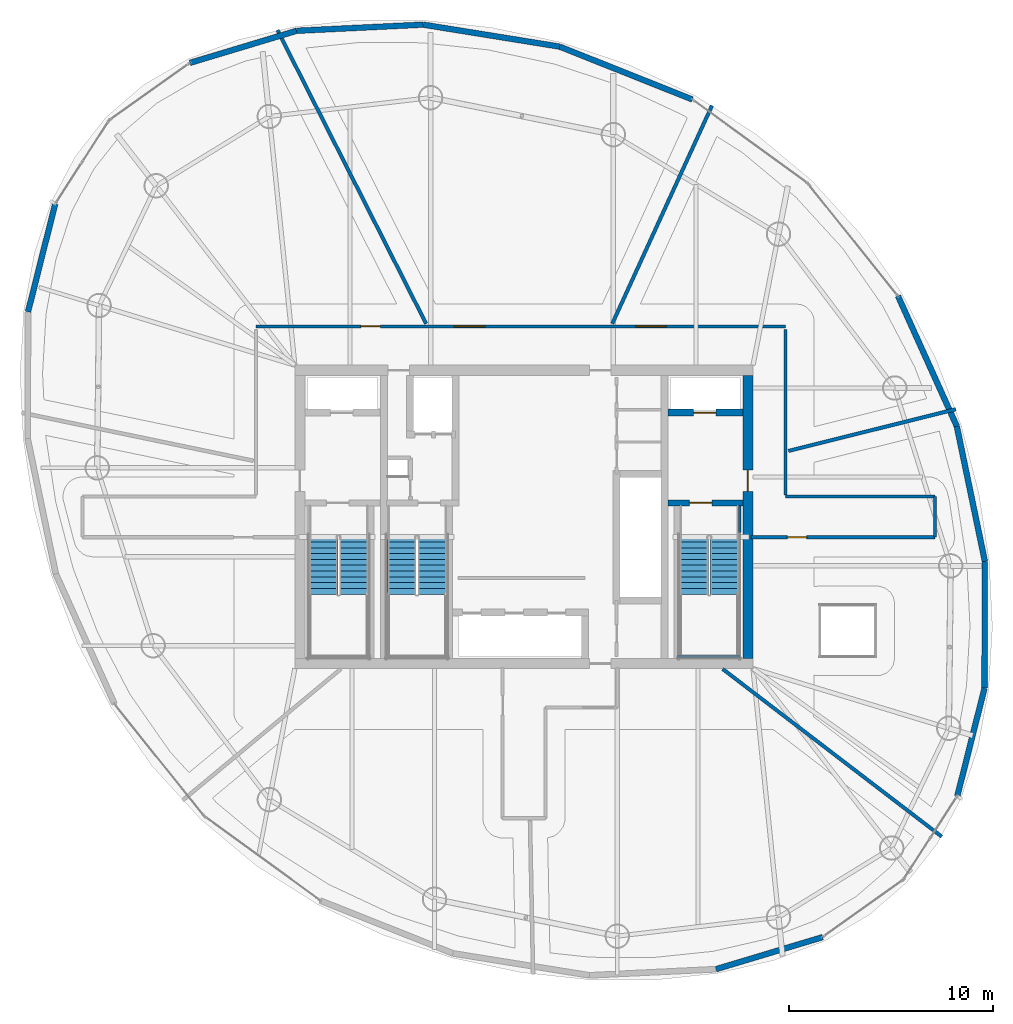
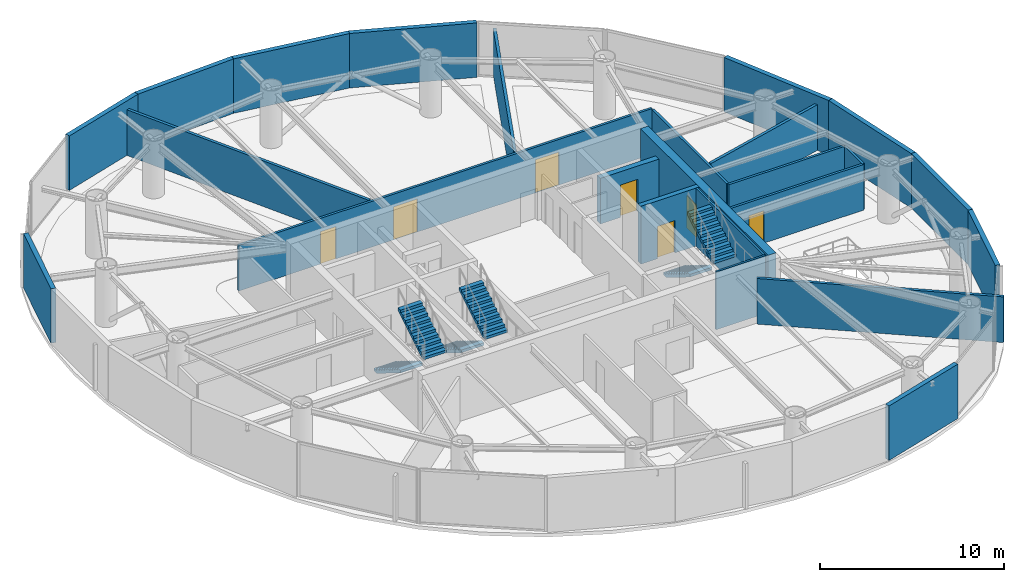
# One storey, part 14 of 18: 24 walls, 7 doors, 6 stair flights, 7 openings, 3 elements without a shape of their own.
"""IFC4 building model written with IfcOpenShell, lengths in metres."""

from ifc_helpers import new_model, si_unit, direction, frame, frame_2d, origin, place, context, subcontext, project, spatial, polyline, rectangle, outline, extrude, material, layer, layer_set, type_object, element, fill, aggregate, save


model = new_model("IFC4")

# Units and contexts
model_context = context("Model", 3, precision=1e-05, world=origin(), true_north=direction((0.0, 1.0)))
body_context = subcontext(model_context, "Body", "Model", "MODEL_VIEW")
ifc_project = project(units=[si_unit("LENGTHUNIT", "METRE"), si_unit("AREAUNIT", "SQUARE_METRE"), si_unit("VOLUMEUNIT", "CUBIC_METRE"), si_unit("PLANEANGLEUNIT", "RADIAN"), si_unit("MASSUNIT", "GRAM", prefix="KILO")], contexts=[model_context])

# Site, building, storey
site_placement = place(None, origin())
site = spatial("IfcSite", under=ifc_project, at=site_placement, CompositionType="ELEMENT")
building_placement = place(site_placement, origin())
building = spatial("IfcBuilding", under=site, at=building_placement, Name="Bramvorn Convention Spire", CompositionType="ELEMENT")
storey_placement = place(building_placement, frame((0.0, 0.0, 205.85009765625)))
storey = spatial("IfcBuildingStorey", under=building, at=storey_placement, Name="L52", CompositionType="ELEMENT", Elevation=205.85009765625)

# Wall, opening, door
ifc_material_1 = material(Name="Concrete C50/60", Category="concrete")
ifc_layer_1 = layer(ifc_material_1, 0.5)
ifc_layer_set_1 = layer_set([ifc_layer_1], Name="Concrete C50/60 - WL-CORE-500")
wall_type_1 = type_object("IfcWallType", Name="WL-CORE-500", PredefinedType="SHEAR", material=ifc_layer_set_1)
wall_1_placement = place(storey_placement, frame((49.0, 19.050048828125, 0.0), z_axis=(0.0, 0.0, 1.0), x_axis=(0.0, 1.0, 0.0)))
wall_1 = element("IfcWall", 1, at=wall_1_placement, inside=storey, type_object=wall_type_1, Name="L52 East RC core shear wall", PredefinedType="SHEAR", context=body_context, shape_type="SweptSolid", body=[
    extrude(rectangle(XDim=13.89990234375, YDim=0.5, at=frame_2d((6.949951171875, 0.0))), origin(), (0.0, 0.0, 1.0), 3.849853515625),
])
opening_1_placement = place(wall_1_placement, frame((8.199951171875, 0.0, 0.0)))
opening_1 = element("IfcOpeningElement", 2, at=opening_1_placement, cuts=wall_1, Name="Opening DL-105", PredefinedType="OPENING", context=body_context, shape_type="SweptSolid", body=[
    extrude(rectangle(XDim=1.050048828125, YDim=2.14990234375, at=frame_2d((0.52490234375, 1.074951171875))), frame((0.0, 0.260009765625, 0.0), z_axis=(0.0, -1.0, 0.0), x_axis=(1.0, 0.0, 0.0)), (0.0, 0.0, 1.0), 0.52001953125),
])
ifc_material_2 = material(Name="Smoke-Sealed Fire Lobby Timber-Core Door", Category="wood")
door_type_1 = type_object("IfcDoorType", Name="DR-LOBBY-1050", OperationType="NOTDEFINED", PredefinedType="DOOR", material=ifc_material_2)
door_1_placement = place(opening_1_placement, origin())
door_1 = element("IfcDoor", 3, at=door_1_placement, inside=storey, type_object=door_type_1, Name="L52 East Firefighting Lobby corridor door", OperationType="SINGLE_SWING_LEFT", OverallHeight=2.14990234375, OverallWidth=1.050048828125, PredefinedType="DOOR", context=body_context, shape_type="SweptSolid", body=[
    extrude(rectangle(XDim=1.050048828125, YDim=2.14990234375, at=frame_2d((0.52490234375, 1.074951171875))), frame((0.0, 0.02490234375, 0.0), z_axis=(0.0, -1.0, 0.0), x_axis=(1.0, 0.0, 0.0)), (0.0, 0.0, 1.0), 0.050048828125),
])
fill(opening_1, door_1)

ifc_layer_2 = layer(ifc_material_1, 0.35009765625)
ifc_layer_set_2 = layer_set([ifc_layer_2], Name="Concrete C50/60 - WL-CORE-INT-350")
wall_type_2 = type_object("IfcWallType", Name="WL-CORE-INT-350", PredefinedType="SHEAR", material=ifc_layer_set_2)
wall_2_placement = place(storey_placement, frame((45.080078125, 31.1201171875, 0.0), z_axis=(0.0, 0.0, 1.0), x_axis=(1.0, 0.0, 0.0)))
wall_2 = element("IfcWall", 4, at=wall_2_placement, inside=storey, type_object=wall_type_2, Name="L52 FE2 shaft front wall", PredefinedType="SHEAR", context=body_context, shape_type="SweptSolid", body=[
    extrude(rectangle(XDim=3.669921875, YDim=0.35009765625, at=frame_2d((1.8349609375, 0.0))), origin(), (0.0, 0.0, 1.0), 3.034912109375),
])
opening_2_placement = place(wall_2_placement, frame((1.25, 0.0, 0.0)))
opening_2 = element("IfcOpeningElement", 5, at=opening_2_placement, cuts=wall_2, Name="Opening LD-110", PredefinedType="OPENING", context=body_context, shape_type="SweptSolid", body=[
    extrude(rectangle(XDim=1.10009765625, YDim=2.14990234375, at=frame_2d((0.550048828125, 1.074951171875))), frame((0.0, 0.18505859375, 0.0), z_axis=(0.0, -1.0, 0.0), x_axis=(1.0, 0.0, 0.0)), (0.0, 0.0, 1.0), 0.3701171875),
])
ifc_material_3 = material(Name="Firefighting & Service Lift Sliding Landing Door", Category="steel")
door_type_2 = type_object("IfcDoorType", Name="DR-LIFT-LD-1100", OperationType="NOTDEFINED", PredefinedType="DOOR", material=ifc_material_3)
door_2_placement = place(opening_2_placement, origin())
door_2 = element("IfcDoor", 6, at=door_2_placement, inside=storey, type_object=door_type_2, Name="L52 Lift FE2 Sliding Landing Door", OperationType="SLIDING_TO_LEFT", OverallHeight=2.14990234375, OverallWidth=1.10009765625, PredefinedType="DOOR", context=body_context, shape_type="SweptSolid", body=[
    extrude(rectangle(XDim=1.10009765625, YDim=2.14990234375, at=frame_2d((0.550048828125, 1.074951171875))), frame((0.0, 0.02490234375, 0.0), z_axis=(0.0, -1.0, 0.0), x_axis=(1.0, 0.0, 0.0)), (0.0, 0.0, 1.0), 0.050048828125),
])
fill(opening_2, door_2)

# Walls
ifc_material_4 = material(Name="Precast Concrete C40/50 with Bronze Terracotta Rainscreen", Category="masonry")
ifc_layer_3 = layer(ifc_material_4, 0.300048828125)
ifc_layer_set_3 = layer_set([ifc_layer_3], Name="Precast Concrete C40/50 with Bronze Terracotta Rainscreen - WL-EXT-BRONZE-300")
wall_type_3 = type_object("IfcWallType", Name="WL-EXT-BRONZE-300", PredefinedType="SOLIDWALL", material=ifc_layer_set_3)
wall_3_placement = place(storey_placement, frame((60.617431640625, 17.585205078125, 0.0), z_axis=(0.0, 0.0, 1.0), x_axis=(-0.244385353769, -0.969678193456, 0.0)))
element("IfcWall", 7, at=wall_3_placement, inside=storey, type_object=wall_type_3, Name="L52 expressed bronze Gothic lancet pier wall 02", PredefinedType="SOLIDWALL", context=body_context, shape_type="SweptSolid", body=[
    extrude(rectangle(XDim=5.464599609375, YDim=0.280029296875, at=frame_2d((2.732421875, 0.0))), origin(), (0.0, 0.0, 1.0), 3.619873046875),
])
wall_4_placement = place(storey_placement, frame((60.636962890625, 23.8115234375, 0.0), z_axis=(0.0, 0.0, 1.0), x_axis=(-0.003136870423, -0.99999508001, 0.0)))
element("IfcWall", 8, at=wall_4_placement, inside=storey, type_object=wall_type_3, Name="L52 expressed bronze Gothic lancet pier wall 03", PredefinedType="SOLIDWALL", context=body_context, shape_type="SweptSolid", body=[
    extrude(rectangle(XDim=6.226318359375, YDim=0.280029296875, at=frame_2d((3.11328125, 0.0))), origin(), (0.0, 0.0, 1.0), 3.619873046875),
])
wall_5_placement = place(storey_placement, frame((59.255615234375, 30.4541015625, 0.0), z_axis=(0.0, 0.0, 1.0), x_axis=(0.203597872563, -0.979054598216, 0.0)))
element("IfcWall", 9, at=wall_5_placement, inside=storey, type_object=wall_type_3, Name="L52 expressed bronze Gothic lancet pier wall 04", PredefinedType="SOLIDWALL", context=body_context, shape_type="SweptSolid", body=[
    extrude(rectangle(XDim=6.78466796875, YDim=0.280029296875, at=frame_2d((3.392333984375, 0.0))), origin(), (0.0, 0.0, 1.0), 3.619873046875),
])
wall_6_placement = place(storey_placement, frame((56.36669921875, 36.849365234375, 0.0), z_axis=(0.0, 0.0, 1.0), x_axis=(0.411673410611, -0.911331445192, 0.0)))
element("IfcWall", 10, at=wall_6_placement, inside=storey, type_object=wall_type_3, Name="L52 expressed bronze Gothic lancet pier wall 05", PredefinedType="SOLIDWALL", context=body_context, shape_type="SweptSolid", body=[
    extrude(rectangle(XDim=7.017578125, YDim=0.280029296875, at=frame_2d((3.5087890625, 0.0))), origin(), (0.0, 0.0, 1.0), 3.619873046875),
])
wall_7_placement = place(storey_placement, frame((39.75, 49.093994140625, 0.0), z_axis=(0.0, 0.0, 1.0), x_axis=(0.929068117102, -0.369908683035, 0.0)))
element("IfcWall", 11, at=wall_7_placement, inside=storey, type_object=wall_type_3, Name="L52 expressed bronze Gothic lancet pier wall 08", PredefinedType="SOLIDWALL", context=body_context, shape_type="SweptSolid", body=[
    extrude(rectangle(XDim=7.017822265625, YDim=0.280029296875, at=frame_2d((3.5087890625, 0.0))), origin(), (0.0, 0.0, 1.0), 3.619873046875),
])
wall_8_placement = place(storey_placement, frame((33.0517578125, 50.172607421875, 0.0), z_axis=(0.0, 0.0, 1.0), x_axis=(0.987281599143, -0.158981269318, 0.0)))
element("IfcWall", 12, at=wall_8_placement, inside=storey, type_object=wall_type_3, Name="L52 expressed bronze Gothic lancet pier wall 09", PredefinedType="SOLIDWALL", context=body_context, shape_type="SweptSolid", body=[
    extrude(rectangle(XDim=6.784423828125, YDim=0.280029296875, at=frame_2d((3.39208984375, 0.0))), origin(), (0.0, 0.0, 1.0), 3.619873046875),
])
wall_9_placement = place(storey_placement, frame((26.832763671875, 49.87060546875, 0.0), z_axis=(0.0, 0.0, 1.0), x_axis=(0.998822985186, 0.048504064408, 0.0)))
element("IfcWall", 13, at=wall_9_placement, inside=storey, type_object=wall_type_3, Name="L52 expressed bronze Gothic lancet pier wall 10", PredefinedType="SOLIDWALL", context=body_context, shape_type="SweptSolid", body=[
    extrude(rectangle(XDim=6.226318359375, YDim=0.280029296875, at=frame_2d((3.11328125, 0.0))), origin(), (0.0, 0.0, 1.0), 3.619873046875),
])
for number, where, z_axis, x_axis, name in (
    (14, (21.60009765625, 48.296142578125, 0.0), (0.0, 0.0, 1.0), (0.957591096502, 0.288130685454, 0.0), "L52 expressed bronze Gothic lancet pier wall 11"),
    (15, (13.6474609375, 36.072998046875, 0.0), (0.0, 0.0, 1.0), (0.244395941646, 0.96967552496, 0.0), "L52 expressed bronze Gothic lancet pier wall 14"),
    (16, (52.664794921875, 5.362060546875, 0.0), (0.0, 0.0, 1.0), (-0.957591096502, -0.288130685454, 0.0), "L52 expressed bronze Gothic lancet pier wall 23"),
):
    element("IfcWall", number, at=place(storey_placement, frame(where, z_axis=z_axis, x_axis=x_axis)), inside=storey, type_object=wall_type_3, Name=name, PredefinedType="SOLIDWALL", context=body_context, shape_type="SweptSolid", body=[
        extrude(rectangle(XDim=5.46435546875, YDim=0.280029296875, at=frame_2d((2.732177734375, 0.0))), origin(), (0.0, 0.0, 1.0), 3.619873046875),
    ])

# Wall, openings, doors
ifc_material_5 = material(Name="Acoustic Metal-Stud Tenant/Corridor Partition", Category="gypsum")
ifc_layer_4 = layer(ifc_material_5, 0.14990234375)
ifc_layer_set_4 = layer_set([ifc_layer_4], Name="Acoustic Metal-Stud Tenant/Corridor Partition - WL-PART-150")
wall_type_4 = type_object("IfcWallType", Name="WL-PART-150", PredefinedType="PARTITIONING", material=ifc_layer_set_4)
wall_10_placement = place(storey_placement, frame((24.85009765625, 35.35009765625, 0.0), z_axis=(0.0, 0.0, 1.0), x_axis=(1.0, 0.0, 0.0)))
wall_10 = element("IfcWall", 17, at=wall_10_placement, inside=storey, type_object=wall_type_4, Name="L52 North gallery wall", PredefinedType="PARTITIONING", context=body_context, shape_type="SweptSolid", body=[
    extrude(rectangle(XDim=26.0, YDim=0.14990234375, at=frame_2d((13.0, 0.0))), origin(), (0.0, 0.0, 1.0), 3.034912109375),
])
opening_3_placement = place(wall_10_placement, frame((18.6376953125, 0.0, 0.0)))
opening_3 = element("IfcOpeningElement", 18, at=opening_3_placement, cuts=wall_10, Name="Opening DC-150", PredefinedType="OPENING", context=body_context, shape_type="SweptSolid", body=[
    extrude(rectangle(XDim=1.5, YDim=2.199951171875, at=frame_2d((0.75, 1.10009765625))), frame((0.0, 0.0849609375, 0.0), z_axis=(0.0, -1.0, 0.0), x_axis=(1.0, 0.0, 0.0)), (0.0, 0.0, 1.0), 0.169921875),
])
opening_4_placement = place(wall_10_placement, frame((9.73681640625, 0.0, 0.0)))
opening_4 = element("IfcOpeningElement", 19, at=opening_4_placement, cuts=wall_10, Name="Opening DC-150", PredefinedType="OPENING", context=body_context, shape_type="SweptSolid", body=[
    extrude(rectangle(XDim=1.5, YDim=2.199951171875, at=frame_2d((0.75, 1.10009765625))), frame((0.0, 0.0849609375, 0.0), z_axis=(0.0, -1.0, 0.0), x_axis=(1.0, 0.0, 0.0)), (0.0, 0.0, 1.0), 0.169921875),
])
opening_5_placement = place(wall_10_placement, frame((5.148193359375, 0.0, 0.0)))
opening_5 = element("IfcOpeningElement", 20, at=opening_5_placement, cuts=wall_10, Name="Opening DH-095", PredefinedType="OPENING", context=body_context, shape_type="SweptSolid", body=[
    extrude(rectangle(XDim=0.949951171875, YDim=2.14990234375, at=frame_2d((0.47509765625, 1.074951171875))), frame((0.0, 0.0849609375, 0.0), z_axis=(0.0, -1.0, 0.0), x_axis=(1.0, 0.0, 0.0)), (0.0, 0.0, 1.0), 0.169921875),
])
ifc_material_6 = material(Name="Double-Leaf Smoke-Control Corridor Door", Category="wood")
door_type_3 = type_object("IfcDoorType", Name="DR-COR-1500", OperationType="NOTDEFINED", PredefinedType="DOOR", material=ifc_material_6)
door_3_placement = place(opening_3_placement, origin())
door_3 = element("IfcDoor", 21, at=door_3_placement, inside=storey, type_object=door_type_3, Name="L52 Executive Dining Salon 1 1 door", OperationType="DOUBLE_DOOR_SINGLE_SWING", OverallHeight=2.199951171875, OverallWidth=1.5, PredefinedType="DOOR", context=body_context, shape_type="SweptSolid", body=[
    extrude(rectangle(XDim=1.5, YDim=2.199951171875, at=frame_2d((0.75, 1.10009765625))), frame((0.0, 0.02490234375, 0.0), z_axis=(0.0, -1.0, 0.0), x_axis=(1.0, 0.0, 0.0)), (0.0, 0.0, 1.0), 0.050048828125),
])
fill(opening_3, door_3)
door_4_placement = place(opening_4_placement, origin())
door_4 = element("IfcDoor", 22, at=door_4_placement, inside=storey, type_object=door_type_3, Name="L52 Executive Dining Salon 2 2 door", OperationType="DOUBLE_DOOR_SINGLE_SWING", OverallHeight=2.199951171875, OverallWidth=1.5, PredefinedType="DOOR", context=body_context, shape_type="SweptSolid", body=[
    extrude(rectangle(XDim=1.5, YDim=2.199951171875, at=frame_2d((0.75, 1.10009765625))), frame((0.0, 0.02490234375, 0.0), z_axis=(0.0, -1.0, 0.0), x_axis=(1.0, 0.0, 0.0)), (0.0, 0.0, 1.0), 0.050048828125),
])
fill(opening_4, door_4)
ifc_material_7 = material(Name="Solid-Core Acoustic Guestroom Entry Door", Category="wood")
door_type_4 = type_object("IfcDoorType", Name="DR-HOTEL-950", OperationType="NOTDEFINED", PredefinedType="DOOR", material=ifc_material_7)
door_5_placement = place(opening_5_placement, origin())
door_5 = element("IfcDoor", 23, at=door_5_placement, inside=storey, type_object=door_type_4, Name="L52 Butler Catering Kitchen 3 door", OperationType="SINGLE_SWING_RIGHT", OverallHeight=2.14990234375, OverallWidth=0.949951171875, PredefinedType="DOOR", context=body_context, shape_type="SweptSolid", body=[
    extrude(rectangle(XDim=0.949951171875, YDim=2.14990234375, at=frame_2d((0.47509765625, 1.074951171875))), frame((0.0, 0.02490234375, 0.0), z_axis=(0.0, -1.0, 0.0), x_axis=(1.0, 0.0, 0.0)), (0.0, 0.0, 1.0), 0.050048828125),
])
fill(opening_5, door_5)

# Walls
wall_11_placement = place(storey_placement, frame((50.85009765625, 27.080078125, 0.0), z_axis=(0.0, 0.0, 1.0), x_axis=(0.0, 1.0, 0.0)))
element("IfcWall", 24, at=wall_11_placement, inside=storey, type_object=wall_type_4, Name="L52 NE gallery cheek", PredefinedType="PARTITIONING", context=body_context, shape_type="SweptSolid", body=[
    extrude(rectangle(XDim=8.119873046875, YDim=0.14990234375, at=frame_2d((4.06005859375, 0.0))), origin(), (0.0, 0.0, 1.0), 3.034912109375),
])
wall_12_placement = place(storey_placement, frame((50.85009765625, 27.0, 0.0), z_axis=(0.0, 0.0, 1.0), x_axis=(1.0, 0.0, 0.0)))
element("IfcWall", 25, at=wall_12_placement, inside=storey, type_object=wall_type_4, Name="L52 East wing spine north wall", PredefinedType="PARTITIONING", context=body_context, shape_type="SweptSolid", body=[
    extrude(rectangle(XDim=7.338134765625, YDim=0.14990234375, at=frame_2d((3.6689453125, 0.0))), origin(), (0.0, 0.0, 1.0), 3.034912109375),
])

# Wall, opening, door
wall_13_placement = place(storey_placement, frame((49.14990234375, 25.0, 0.0), z_axis=(0.0, 0.0, 1.0), x_axis=(1.0, 0.0, 0.0)))
wall_13 = element("IfcWall", 26, at=wall_13_placement, inside=storey, type_object=wall_type_4, Name="L52 East wing spine south wall", PredefinedType="PARTITIONING", context=body_context, shape_type="SweptSolid", body=[
    extrude(rectangle(XDim=9.038330078125, YDim=0.14990234375, at=frame_2d((4.51904296875, 0.0))), origin(), (0.0, 0.0, 1.0), 3.034912109375),
])
opening_6_placement = place(wall_13_placement, frame((1.784423828125, 0.0, 0.0)))
opening_6 = element("IfcOpeningElement", 27, at=opening_6_placement, cuts=wall_13, Name="Opening DH-095", PredefinedType="OPENING", context=body_context, shape_type="SweptSolid", body=[
    extrude(rectangle(XDim=0.949951171875, YDim=2.14990234375, at=frame_2d((0.47509765625, 1.074951171875))), frame((0.0, 0.0849609375, 0.0), z_axis=(0.0, -1.0, 0.0), x_axis=(1.0, 0.0, 0.0)), (0.0, 0.0, 1.0), 0.169921875),
])
door_6_placement = place(opening_6_placement, origin())
door_6 = element("IfcDoor", 28, at=door_6_placement, inside=storey, type_object=door_type_4, Name="L52 Executive Strategy Suite 7 door", OperationType="SINGLE_SWING_RIGHT", OverallHeight=2.14990234375, OverallWidth=0.949951171875, PredefinedType="DOOR", context=body_context, shape_type="SweptSolid", body=[
    extrude(rectangle(XDim=0.949951171875, YDim=2.14990234375, at=frame_2d((0.47509765625, 1.074951171875))), frame((0.0, 0.02490234375, 0.0), z_axis=(0.0, -1.0, 0.0), x_axis=(1.0, 0.0, 0.0)), (0.0, 0.0, 1.0), 0.050048828125),
])
fill(opening_6, door_6)

# Walls
wall_14_placement = place(storey_placement, frame((58.188232421875, 25.0, 0.0), z_axis=(0.0, 0.0, 1.0), x_axis=(0.0, 1.0, 0.0)))
element("IfcWall", 29, at=wall_14_placement, inside=storey, type_object=wall_type_4, Name="L52 East wing spine end wall", PredefinedType="PARTITIONING", context=body_context, shape_type="SweptSolid", body=[
    extrude(rectangle(XDim=2.0, YDim=0.14990234375, at=frame_2d((1.0, 0.0))), origin(), (0.0, 0.0, 1.0), 3.034912109375),
])
ifc_material_8 = material(Name="Double-Stud Acoustic Hotel/Suite Partition", Category="gypsum")
ifc_layer_5 = layer(ifc_material_8, 0.175048828125)
ifc_layer_set_5 = layer_set([ifc_layer_5], Name="Double-Stud Acoustic Hotel/Suite Partition - WL-PART-175")
wall_type_5 = type_object("IfcWallType", Name="WL-PART-175", PredefinedType="PARTITIONING", material=ifc_layer_set_5)
wall_15_placement = place(storey_placement, frame((50.989990234375, 29.23876953125, 0.0), z_axis=(0.0, 0.0, 1.0), x_axis=(0.970296522977, 0.241918700182, 0.0)))
element("IfcWall", 30, at=wall_15_placement, inside=storey, type_object=wall_type_5, Name="L52 Tenant suite partition 1", PredefinedType="PARTITIONING", context=body_context, shape_type="SweptSolid", body=[
    extrude(rectangle(XDim=8.47412109375, YDim=0.175048828125, at=frame_2d((4.237060546875, 0.0))), origin(), (0.0, 0.0, 1.0), 3.034912109375),
])
wall_16_placement = place(storey_placement, frame((42.339111328125, 35.489990234375, 0.0), z_axis=(0.0, 0.0, 1.0), x_axis=(0.415828822924, 0.909442900916, 0.0)))
element("IfcWall", 31, at=wall_16_placement, inside=storey, type_object=wall_type_5, Name="L52 Tenant suite partition 2", PredefinedType="PARTITIONING", context=body_context, shape_type="SweptSolid", body=[
    extrude(rectangle(XDim=11.779296875, YDim=0.175048828125, at=frame_2d((5.8896484375, 0.0))), origin(), (0.0, 0.0, 1.0), 3.034912109375),
])
wall_17_placement = place(storey_placement, frame((33.1943359375, 35.489990234375, 0.0), z_axis=(0.0, 0.0, 1.0), x_axis=(-0.451770043308, 0.89213442259, 0.0)))
element("IfcWall", 32, at=wall_17_placement, inside=storey, type_object=wall_type_5, Name="L52 Tenant suite partition 3", PredefinedType="PARTITIONING", context=body_context, shape_type="SweptSolid", body=[
    extrude(rectangle(XDim=16.160888671875, YDim=0.175048828125, at=frame_2d((8.08056640625, 0.0))), origin(), (0.0, 0.0, 1.0), 3.034912109375),
])
wall_18_placement = place(storey_placement, frame((47.76025390625, 18.530029296875, 0.0), z_axis=(0.0, 0.0, 1.0), x_axis=(0.794107620506, -0.607777168916, 0.0)))
element("IfcWall", 33, at=wall_18_placement, inside=storey, type_object=wall_type_5, Name="L52 Tenant suite partition 7", PredefinedType="PARTITIONING", context=body_context, shape_type="SweptSolid", body=[
    extrude(rectangle(XDim=13.546630859375, YDim=0.175048828125, at=frame_2d((6.7734375, 0.0))), origin(), (0.0, 0.0, 1.0), 3.034912109375),
])

# Wall, opening, door
ifc_layer_6 = layer(ifc_material_1, 0.300048828125)
ifc_layer_set_6 = layer_set([ifc_layer_6], Name="Concrete C50/60 - WL-POD-STAIR-300")
wall_type_6 = type_object("IfcWallType", Name="WL-POD-STAIR-300", PredefinedType="SHEAR", material=ifc_layer_set_6)
wall_19_placement = place(storey_placement, frame((45.080078125, 26.68994140625, 0.0), z_axis=(0.0, 0.0, 1.0), x_axis=(1.0, 0.0, 0.0)))
wall_19 = element("IfcWall", 34, at=wall_19_placement, inside=storey, type_object=wall_type_6, Name="L52 ST2 north fire wall", PredefinedType="SHEAR", context=body_context, shape_type="SweptSolid", body=[
    extrude(rectangle(XDim=3.669921875, YDim=0.300048828125, at=frame_2d((1.8349609375, 0.0))), origin(), (0.0, 0.0, 1.0), 3.849853515625),
])
opening_7_placement = place(wall_19_placement, frame((1.050048828125, 0.0, 0.0)))
opening_7 = element("IfcOpeningElement", 35, at=opening_7_placement, cuts=wall_19, Name="Opening DS-110", PredefinedType="OPENING", context=body_context, shape_type="SweptSolid", body=[
    extrude(rectangle(XDim=1.10009765625, YDim=2.14990234375, at=frame_2d((0.550048828125, 1.074951171875))), frame((0.0, 0.159912109375, 0.0), z_axis=(0.0, -1.0, 0.0), x_axis=(1.0, 0.0, 0.0)), (0.0, 0.0, 1.0), 0.320068359375),
])
ifc_material_9 = material(Name="Fire-Rated Hollow Steel Stairwell Door", Category="steel")
door_type_5 = type_object("IfcDoorType", Name="DR-STAIR-1100", OperationType="NOTDEFINED", PredefinedType="DOOR", material=ifc_material_9)
door_7_placement = place(opening_7_placement, origin())
door_7 = element("IfcDoor", 36, at=door_7_placement, inside=storey, type_object=door_type_5, Name="L52 Stair ST2 fire door", OperationType="SINGLE_SWING_RIGHT", OverallHeight=2.14990234375, OverallWidth=1.10009765625, PredefinedType="DOOR", context=body_context, shape_type="SweptSolid", body=[
    extrude(rectangle(XDim=1.10009765625, YDim=2.14990234375, at=frame_2d((0.550048828125, 1.074951171875))), frame((0.0, 0.02490234375, 0.0), z_axis=(0.0, -1.0, 0.0), x_axis=(1.0, 0.0, 0.0)), (0.0, 0.0, 1.0), 0.050048828125),
])
fill(opening_7, door_7)

# Walls
ifc_layer_7 = layer(ifc_material_1, 0.1201171875)
ifc_layer_set_7 = layer_set([ifc_layer_7], Name="Concrete C50/60 - WL-STAIR-RC-120")
wall_type_7 = type_object("IfcWallType", Name="WL-STAIR-RC-120", PredefinedType="SHEAR", material=ifc_layer_set_7)
wall_20_placement = place(storey_placement, frame((48.60498046875, 19.10009765625, 0.0), z_axis=(0.0, 0.0, 1.0), x_axis=(0.0, 1.0, 0.0)))
element("IfcWall", 37, at=wall_20_placement, inside=storey, type_object=wall_type_7, Name="L52 ST2 east bearing shear wall", PredefinedType="SHEAR", context=body_context, shape_type="SweptSolid", body=[
    extrude(rectangle(XDim=7.449951171875, YDim=0.1201171875, at=frame_2d((3.72509765625, 0.0))), origin(), (0.0, 0.0, 1.0), 3.849853515625),
])
wall_21_placement = place(storey_placement, frame((45.510009765625, 19.159912109375, 0.0), z_axis=(0.0, 0.0, 1.0), x_axis=(1.0, 0.0, 0.0)))
element("IfcWall", 38, at=wall_21_placement, inside=storey, type_object=wall_type_7, Name="L52 ST2 south bearing shear wall", PredefinedType="SHEAR", context=body_context, shape_type="SweptSolid", body=[
    extrude(rectangle(XDim=3.094970703125, YDim=0.1201171875, at=frame_2d((1.54736328125, 0.0))), origin(), (0.0, 0.0, 1.0), 3.849853515625),
])

# Stair, stair flights
ifc_material_10 = material(Name="Concrete C40/50 Precast Stair", Category="concrete")
stair_type = type_object("IfcStairType", Name="ST-TOWER-1550", PredefinedType="HALF_TURN_STAIR", material=ifc_material_10)
stair_1_placement = place(storey_placement, origin())
stair_1 = element("IfcStair", 39, at=stair_1_placement, inside=storey, type_object=stair_type, Name="L52 Protected Exit Stair ST1", PredefinedType="HALF_TURN_STAIR")
ifc_material_11 = material(Name="Concrete C40/50 Precast Stair Flight", Category="concrete")
stair_flight_type = type_object("IfcStairFlightType", Name="STF-TOWER-1550", PredefinedType="STRAIGHT", material=ifc_material_11)
stair_flight_1_placement = place(storey_placement, frame((28.155029296875, 25.050048828125, 0.0), z_axis=(0.0, 0.0, 1.0), x_axis=(0.0, -1.0, 0.0)))
stair_flight_1 = element("IfcStairFlight", 40, at=stair_flight_1_placement, type_object=stair_flight_type, Name="ST1 flight 1", NumberOfRisers=11, NumberOfTreads=10, PredefinedType="STRAIGHT", RiserHeight=0.175, TreadLength=0.285, context=body_context, shape_type="SweptSolid", body=[
    extrude(outline(polyline([(0.0, 0.0), (0.0, 0.175048828125), (0.284912109375, 0.175048828125), (0.284912109375, 0.35009765625), (0.570068359375, 0.35009765625), (0.570068359375, 0.52490234375), (0.85498046875, 0.52490234375), (0.85498046875, 0.699951171875), (1.139892578125, 0.699951171875), (1.139892578125, 0.875), (1.425048828125, 0.875), (1.425048828125, 1.050048828125), (1.7099609375, 1.050048828125), (1.7099609375, 1.22509765625), (1.9951171875, 1.22509765625), (1.9951171875, 1.39990234375), (2.280029296875, 1.39990234375), (2.280029296875, 1.574951171875), (2.56494140625, 1.574951171875), (2.56494140625, 1.75), (2.85009765625, 1.75), (2.85009765625, 1.925048828125), (2.85009765625, 1.573974609375), (0.286376953125, 0.0), (0.0, 0.0)])), frame((0.0, 0.705078125, 0.0), z_axis=(0.0, -1.0, 0.0), x_axis=(1.0, 0.0, 0.0)), (0.0, 0.0, 1.0), 1.409912109375),
])
stair_flight_2_placement = place(storey_placement, frame((29.64501953125, 22.199951171875, 1.9248046875), z_axis=(0.0, 0.0, 1.0), x_axis=(0.0, 1.0, 0.0)))
stair_flight_2 = element("IfcStairFlight", 41, at=stair_flight_2_placement, type_object=stair_flight_type, Name="ST1 flight 2", NumberOfRisers=11, NumberOfTreads=10, PredefinedType="STRAIGHT", RiserHeight=0.175, TreadLength=0.285, context=body_context, shape_type="SweptSolid", body=[
    extrude(outline(polyline([(0.0, 0.0), (0.0, 0.175048828125), (0.284912109375, 0.175048828125), (0.284912109375, 0.35009765625), (0.570068359375, 0.35009765625), (0.570068359375, 0.52490234375), (0.85498046875, 0.52490234375), (0.85498046875, 0.699951171875), (1.139892578125, 0.699951171875), (1.139892578125, 0.875), (1.425048828125, 0.875), (1.425048828125, 1.050048828125), (1.7099609375, 1.050048828125), (1.7099609375, 1.22509765625), (1.9951171875, 1.22509765625), (1.9951171875, 1.39990234375), (2.280029296875, 1.39990234375), (2.280029296875, 1.574951171875), (2.56494140625, 1.574951171875), (2.56494140625, 1.75), (2.85009765625, 1.75), (2.85009765625, 1.925048828125), (2.85009765625, 1.573974609375), (0.286376953125, 0.0), (0.0, 0.0)])), frame((0.0, 0.705078125, 0.0), z_axis=(0.0, -1.0, 0.0), x_axis=(1.0, 0.0, 0.0)), (0.0, 0.0, 1.0), 1.409912109375),
])
aggregate(stair_1, [stair_flight_1, stair_flight_2])

stair_2_placement = place(storey_placement, origin())
stair_2 = element("IfcStair", 42, at=stair_2_placement, inside=storey, type_object=stair_type, Name="L52 Protected Exit Stair ST2", PredefinedType="HALF_TURN_STAIR")
stair_flight_3_placement = place(storey_placement, frame((46.35498046875, 25.050048828125, 0.0), z_axis=(0.0, 0.0, 1.0), x_axis=(0.0, -1.0, 0.0)))
stair_flight_3 = element("IfcStairFlight", 43, at=stair_flight_3_placement, type_object=stair_flight_type, Name="ST2 flight 1", NumberOfRisers=11, NumberOfTreads=10, PredefinedType="STRAIGHT", RiserHeight=0.175, TreadLength=0.285, context=body_context, shape_type="SweptSolid", body=[
    extrude(outline(polyline([(0.0, 0.0), (0.0, 0.175048828125), (0.284912109375, 0.175048828125), (0.284912109375, 0.35009765625), (0.570068359375, 0.35009765625), (0.570068359375, 0.52490234375), (0.85498046875, 0.52490234375), (0.85498046875, 0.699951171875), (1.139892578125, 0.699951171875), (1.139892578125, 0.875), (1.425048828125, 0.875), (1.425048828125, 1.050048828125), (1.7099609375, 1.050048828125), (1.7099609375, 1.22509765625), (1.9951171875, 1.22509765625), (1.9951171875, 1.39990234375), (2.280029296875, 1.39990234375), (2.280029296875, 1.574951171875), (2.56494140625, 1.574951171875), (2.56494140625, 1.75), (2.85009765625, 1.75), (2.85009765625, 1.925048828125), (2.85009765625, 1.573974609375), (0.286376953125, 0.0), (0.0, 0.0)])), frame((0.0, 0.705078125, 0.0), z_axis=(0.0, -1.0, 0.0), x_axis=(1.0, 0.0, 0.0)), (0.0, 0.0, 1.0), 1.409912109375),
])
stair_flight_4_placement = place(storey_placement, frame((47.844970703125, 22.199951171875, 1.9248046875), z_axis=(0.0, 0.0, 1.0), x_axis=(0.0, 1.0, 0.0)))
stair_flight_4 = element("IfcStairFlight", 44, at=stair_flight_4_placement, type_object=stair_flight_type, Name="ST2 flight 2", NumberOfRisers=11, NumberOfTreads=10, PredefinedType="STRAIGHT", RiserHeight=0.175, TreadLength=0.285, context=body_context, shape_type="SweptSolid", body=[
    extrude(outline(polyline([(0.0, 0.0), (0.0, 0.175048828125), (0.284912109375, 0.175048828125), (0.284912109375, 0.35009765625), (0.570068359375, 0.35009765625), (0.570068359375, 0.52490234375), (0.85498046875, 0.52490234375), (0.85498046875, 0.699951171875), (1.139892578125, 0.699951171875), (1.139892578125, 0.875), (1.425048828125, 0.875), (1.425048828125, 1.050048828125), (1.7099609375, 1.050048828125), (1.7099609375, 1.22509765625), (1.9951171875, 1.22509765625), (1.9951171875, 1.39990234375), (2.280029296875, 1.39990234375), (2.280029296875, 1.574951171875), (2.56494140625, 1.574951171875), (2.56494140625, 1.75), (2.85009765625, 1.75), (2.85009765625, 1.925048828125), (2.85009765625, 1.573974609375), (0.286376953125, 0.0), (0.0, 0.0)])), frame((0.0, 0.705078125, 0.0), z_axis=(0.0, -1.0, 0.0), x_axis=(1.0, 0.0, 0.0)), (0.0, 0.0, 1.0), 1.409912109375),
])
aggregate(stair_2, [stair_flight_3, stair_flight_4])

stair_3_placement = place(storey_placement, origin())
stair_3 = element("IfcStair", 45, at=stair_3_placement, inside=storey, type_object=stair_type, Name="L52 Protected Exit Stair ST3", PredefinedType="HALF_TURN_STAIR")
stair_flight_5_placement = place(storey_placement, frame((32.0048828125, 25.050048828125, 0.0), z_axis=(0.0, 0.0, 1.0), x_axis=(0.0, -1.0, 0.0)))
stair_flight_5 = element("IfcStairFlight", 46, at=stair_flight_5_placement, type_object=stair_flight_type, Name="ST3 flight 1", NumberOfRisers=11, NumberOfTreads=10, PredefinedType="STRAIGHT", RiserHeight=0.175, TreadLength=0.285, context=body_context, shape_type="SweptSolid", body=[
    extrude(outline(polyline([(0.0, 0.0), (0.0, 0.175048828125), (0.284912109375, 0.175048828125), (0.284912109375, 0.35009765625), (0.570068359375, 0.35009765625), (0.570068359375, 0.52490234375), (0.85498046875, 0.52490234375), (0.85498046875, 0.699951171875), (1.139892578125, 0.699951171875), (1.139892578125, 0.875), (1.425048828125, 0.875), (1.425048828125, 1.050048828125), (1.7099609375, 1.050048828125), (1.7099609375, 1.22509765625), (1.9951171875, 1.22509765625), (1.9951171875, 1.39990234375), (2.280029296875, 1.39990234375), (2.280029296875, 1.574951171875), (2.56494140625, 1.574951171875), (2.56494140625, 1.75), (2.85009765625, 1.75), (2.85009765625, 1.925048828125), (2.85009765625, 1.573974609375), (0.286376953125, 0.0), (0.0, 0.0)])), frame((0.0, 0.705078125, 0.0), z_axis=(0.0, -1.0, 0.0), x_axis=(1.0, 0.0, 0.0)), (0.0, 0.0, 1.0), 1.409912109375),
])
stair_flight_6_placement = place(storey_placement, frame((33.4951171875, 22.199951171875, 1.9248046875), z_axis=(0.0, 0.0, 1.0), x_axis=(0.0, 1.0, 0.0)))
stair_flight_6 = element("IfcStairFlight", 47, at=stair_flight_6_placement, type_object=stair_flight_type, Name="ST3 flight 2", NumberOfRisers=11, NumberOfTreads=10, PredefinedType="STRAIGHT", RiserHeight=0.175, TreadLength=0.285, context=body_context, shape_type="SweptSolid", body=[
    extrude(outline(polyline([(0.0, 0.0), (0.0, 0.175048828125), (0.284912109375, 0.175048828125), (0.284912109375, 0.35009765625), (0.570068359375, 0.35009765625), (0.570068359375, 0.52490234375), (0.85498046875, 0.52490234375), (0.85498046875, 0.699951171875), (1.139892578125, 0.699951171875), (1.139892578125, 0.875), (1.425048828125, 0.875), (1.425048828125, 1.050048828125), (1.7099609375, 1.050048828125), (1.7099609375, 1.22509765625), (1.9951171875, 1.22509765625), (1.9951171875, 1.39990234375), (2.280029296875, 1.39990234375), (2.280029296875, 1.574951171875), (2.56494140625, 1.574951171875), (2.56494140625, 1.75), (2.85009765625, 1.75), (2.85009765625, 1.925048828125), (2.85009765625, 1.573974609375), (0.286376953125, 0.0), (0.0, 0.0)])), frame((0.0, 0.705078125, 0.0), z_axis=(0.0, -1.0, 0.0), x_axis=(1.0, 0.0, 0.0)), (0.0, 0.0, 1.0), 1.409912109375),
])
aggregate(stair_3, [stair_flight_5, stair_flight_6])

save(model, "model.ifc")
